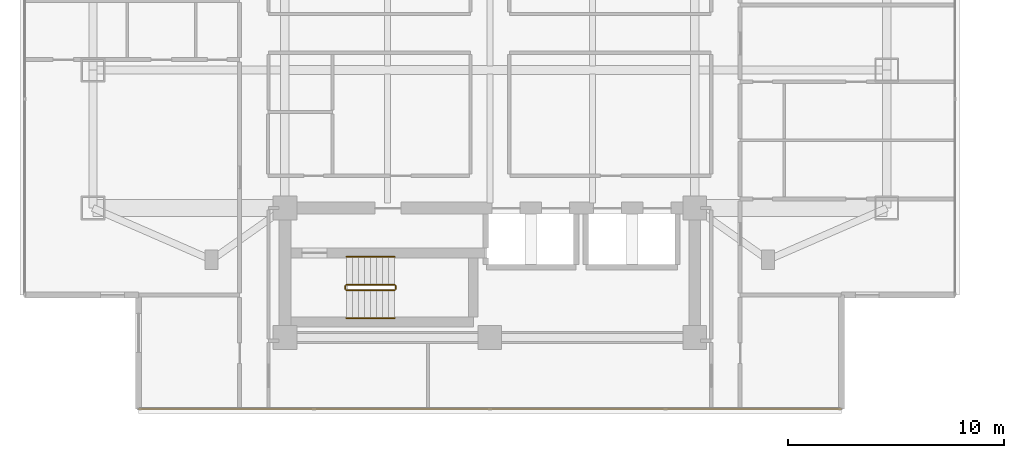
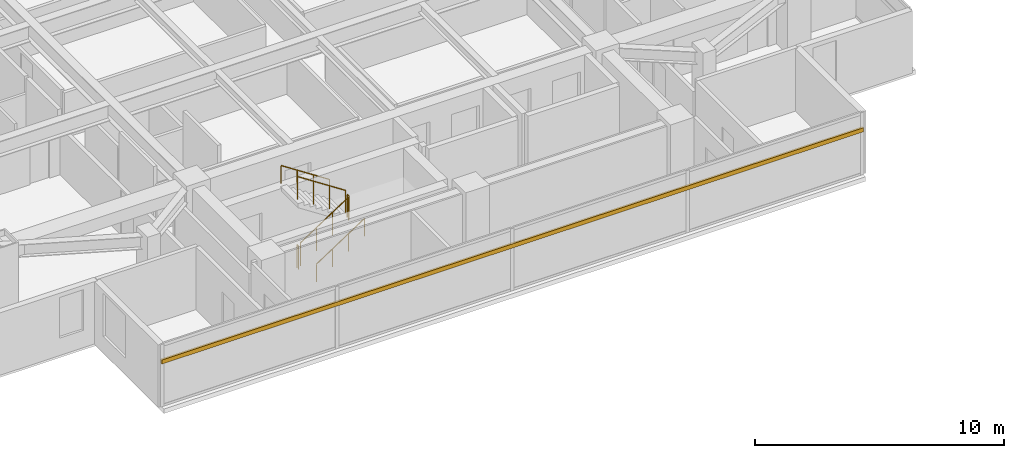
# One storey, part 19 of 24: 6 railings, 1 shading device.
"""IFC4 building model written with IfcOpenShell, lengths in metres."""

from ifc_helpers import new_model, si_unit, direction, frame, origin, origin_2d, place, context, subcontext, project, spatial, rectangle, circle, extrude, material, material_profile, profile_set, type_object, element, save


model = new_model("IFC4")

# Units and contexts
model_context = context("Model", 3, precision=1e-05, world=origin(), true_north=direction((0.0, 1.0)))
body_context = subcontext(model_context, "Body", "Model", "MODEL_VIEW")
ifc_project = project(units=[si_unit("LENGTHUNIT", "METRE"), si_unit("AREAUNIT", "SQUARE_METRE"), si_unit("VOLUMEUNIT", "CUBIC_METRE"), si_unit("PLANEANGLEUNIT", "RADIAN"), si_unit("MASSUNIT", "GRAM", prefix="KILO")], contexts=[model_context])

# Site, building, storey
site_placement = place(None, origin())
site = spatial("IfcSite", under=ifc_project, at=site_placement, CompositionType="ELEMENT")
building_placement = place(site_placement, origin())
building = spatial("IfcBuilding", under=site, at=building_placement, Name="Mirazonda Arch Towers", CompositionType="ELEMENT")
storey_placement = place(building_placement, frame((0.0, 0.0, 137.89990234375)))
storey = spatial("IfcBuildingStorey", under=building, at=storey_placement, Name="L39", CompositionType="ELEMENT", Elevation=137.89990234375)

# Shading device
ifc_material_1 = material(Name="Kiln-Fired Architectural Terracotta", Category="masonry")
ifc_material_profile = material_profile(ifc_material_1, rectangle(XDim=0.10009765625, YDim=0.199951171875, at=origin_2d()), Name="TERRA-BAG-100x200")
ifc_profile_set = profile_set([ifc_material_profile], Name="Kiln-Fired Architectural Terracotta")
shading_device_type = type_object("IfcShadingDeviceType", Name="BAGUETTE-2", PredefinedType="USERDEFINED", material=ifc_profile_set)
shading_device_placement = place(storey_placement, frame((36.7900390625, 9.092041015625, 2.203369140625), z_axis=(-1.0, 0.0, 0.0), x_axis=(0.0, -1.0, 0.0)))
element("IfcShadingDevice", 1, at=shading_device_placement, inside=storey, type_object=shading_device_type, Name="L39 Glazed Terracotta Sun-Screen Baguette CW-L39-T1-S", ObjectType="BAGUETTE", PredefinedType="USERDEFINED", context=body_context, shape_type="SweptSolid", body=[
    extrude(rectangle(XDim=0.10009765625, YDim=0.199951171875, at=origin_2d()), origin(), (0.0, 0.0, 1.0), 32.580078125),
])

# Railings
ifc_material_2 = material(Name="Architectural Brushed Steel S355", Category="steel")
railing_type_1 = type_object("IfcRailingType", Name="GUARD-STAIR-1120", PredefinedType="GUARDRAIL", material=ifc_material_2)
railing_1_placement = place(storey_placement, frame((13.85009765625, 14.60009765625, 0.183349609375)))
element("IfcRailing", 2, at=railing_1_placement, inside=storey, type_object=railing_type_1, Name="L39 ST-T1S stair guard 1", PredefinedType="GUARDRAIL", context=body_context, shape_type="SweptSolid", body=[
    extrude(circle(Radius=0.02392578125, at=origin_2d()), frame((0.0, 0.0, 1.1259765625), z_axis=(0.836595146698, 0.0, 0.547821650285), x_axis=(0.0, 1.0, 0.0)), (0.0, 0.0, 1.0), 2.677490234375),
    extrude(circle(Radius=0.02099609375, at=origin_2d()), origin(), (0.0, 0.0, 1.0), 1.101806640625),
    extrude(circle(Radius=0.02099609375, at=origin_2d()), frame((0.74658203125, 0.0, 0.489013671875)), (0.0, 0.0, 1.0), 1.101806640625),
    extrude(circle(Radius=0.02099609375, at=origin_2d()), frame((1.493408203125, 0.0, 0.977783203125)), (0.0, 0.0, 1.0), 1.101806640625),
    extrude(circle(Radius=0.02099609375, at=origin_2d()), frame((2.239990234375, 0.0, 1.466796875)), (0.0, 0.0, 1.0), 1.101806640625),
])
railing_2_placement = place(storey_placement, frame((16.139892578125, 14.64990234375, 1.650146484375)))
element("IfcRailing", 3, at=railing_2_placement, inside=storey, type_object=railing_type_1, Name="L39 ST-T1S stair guard 2", PredefinedType="GUARDRAIL", context=body_context, shape_type="SweptSolid", body=[
    extrude(circle(Radius=0.02392578125, at=origin_2d()), frame((0.0, 0.0, 1.1259765625), z_axis=(0.0, 1.0, 0.0), x_axis=(-1.0, 0.0, 0.0)), (0.0, 0.0, 1.0), 0.14013671875),
    extrude(circle(Radius=0.02099609375, at=origin_2d()), origin(), (0.0, 0.0, 1.0), 1.101806640625),
    extrude(circle(Radius=0.02099609375, at=origin_2d()), frame((0.0, 0.14013671875, 0.0)), (0.0, 0.0, 1.0), 1.101806640625),
])
railing_3_placement = place(storey_placement, frame((16.090087890625, 14.840087890625, 1.83349609375)))
element("IfcRailing", 4, at=railing_3_placement, inside=storey, type_object=railing_type_1, Name="L39 ST-T1S stair guard 3", PredefinedType="GUARDRAIL", context=body_context, shape_type="SweptSolid", body=[
    extrude(circle(Radius=0.02392578125, at=origin_2d()), frame((0.0, 0.0, 1.1259765625), z_axis=(-0.836636935527, 0.0, 0.547757827979), x_axis=(0.0, -1.0, 0.0)), (0.0, 0.0, 1.0), 2.677490234375),
    extrude(circle(Radius=0.02099609375, at=origin_2d()), origin(), (0.0, 0.0, 1.0), 1.101806640625),
    extrude(circle(Radius=0.02099609375, at=origin_2d()), frame((-0.74658203125, 0.0, 0.48876953125)), (0.0, 0.0, 1.0), 1.101806640625),
    extrude(circle(Radius=0.02099609375, at=origin_2d()), frame((-1.493408203125, 0.0, 0.977783203125)), (0.0, 0.0, 1.0), 1.101806640625),
    extrude(circle(Radius=0.02099609375, at=origin_2d()), frame((-2.239990234375, 0.0, 1.466552734375)), (0.0, 0.0, 1.0), 1.101806640625),
])
railing_4_placement = place(storey_placement, frame((13.800048828125, 14.64990234375, 0.0)))
element("IfcRailing", 5, at=railing_4_placement, inside=storey, type_object=railing_type_1, Name="L39 ST-T1S stair guard 4", PredefinedType="GUARDRAIL", context=body_context, shape_type="SweptSolid", body=[
    extrude(circle(Radius=0.02392578125, at=origin_2d()), frame((0.0, 0.0, 1.1259765625), z_axis=(0.0, 1.0, 0.0), x_axis=(-1.0, 0.0, 0.0)), (0.0, 0.0, 1.0), 0.14013671875),
    extrude(circle(Radius=0.02099609375, at=origin_2d()), origin(), (0.0, 0.0, 1.0), 1.101806640625),
    extrude(circle(Radius=0.02099609375, at=origin_2d()), frame((0.0, 0.14013671875, 0.0)), (0.0, 0.0, 1.0), 1.101806640625),
])
railing_type_2 = type_object("IfcRailingType", Name="HANDRAIL-915", PredefinedType="HANDRAIL", material=ifc_material_2)
railing_5_placement = place(storey_placement, frame((13.85009765625, 13.300048828125, 0.183349609375)))
element("IfcRailing", 6, at=railing_5_placement, inside=storey, type_object=railing_type_2, Name="L39 ST-T1S stair handrail 1", PredefinedType="HANDRAIL", context=body_context, shape_type="SweptSolid", body=[
    extrude(circle(Radius=0.02392578125, at=origin_2d()), frame((0.0, 0.0, 0.8759765625), z_axis=(0.836595146698, 0.0, 0.547821650285), x_axis=(0.0, 1.0, 0.0)), (0.0, 0.0, 1.0), 2.677490234375),
    extrude(circle(Radius=0.02099609375, at=origin_2d()), origin(), (0.0, 0.0, 1.0), 0.851806640625),
    extrude(circle(Radius=0.02099609375, at=origin_2d()), frame((0.74658203125, 0.0, 0.489013671875)), (0.0, 0.0, 1.0), 0.851806640625),
    extrude(circle(Radius=0.02099609375, at=origin_2d()), frame((1.493408203125, 0.0, 0.977783203125)), (0.0, 0.0, 1.0), 0.851806640625),
    extrude(circle(Radius=0.02099609375, at=origin_2d()), frame((2.239990234375, 0.0, 1.466796875)), (0.0, 0.0, 1.0), 0.851806640625),
])
railing_6_placement = place(storey_placement, frame((16.090087890625, 16.139892578125, 1.83349609375)))
element("IfcRailing", 7, at=railing_6_placement, inside=storey, type_object=railing_type_2, Name="L39 ST-T1S stair handrail 2", PredefinedType="HANDRAIL", context=body_context, shape_type="SweptSolid", body=[
    extrude(circle(Radius=0.02392578125, at=origin_2d()), frame((0.0, 0.0, 0.8759765625), z_axis=(-0.836636935527, 0.0, 0.547757827979), x_axis=(0.0, -1.0, 0.0)), (0.0, 0.0, 1.0), 2.677490234375),
    extrude(circle(Radius=0.02099609375, at=origin_2d()), origin(), (0.0, 0.0, 1.0), 0.851806640625),
    extrude(circle(Radius=0.02099609375, at=origin_2d()), frame((-0.74658203125, 0.0, 0.48876953125)), (0.0, 0.0, 1.0), 0.851806640625),
    extrude(circle(Radius=0.02099609375, at=origin_2d()), frame((-1.493408203125, 0.0, 0.977783203125)), (0.0, 0.0, 1.0), 0.851806640625),
    extrude(circle(Radius=0.02099609375, at=origin_2d()), frame((-2.239990234375, 0.0, 1.466552734375)), (0.0, 0.0, 1.0), 0.851806640625),
])

save(model, "model.ifc")
